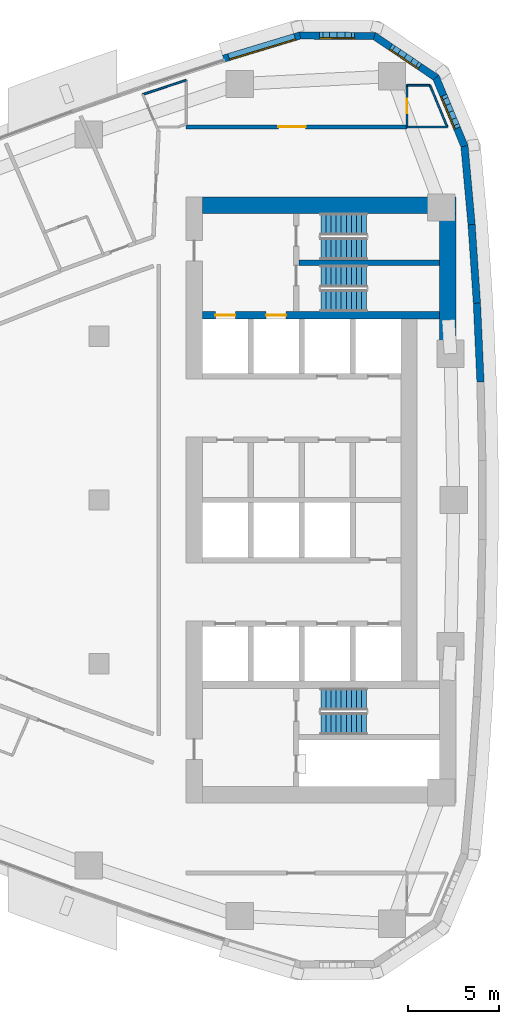
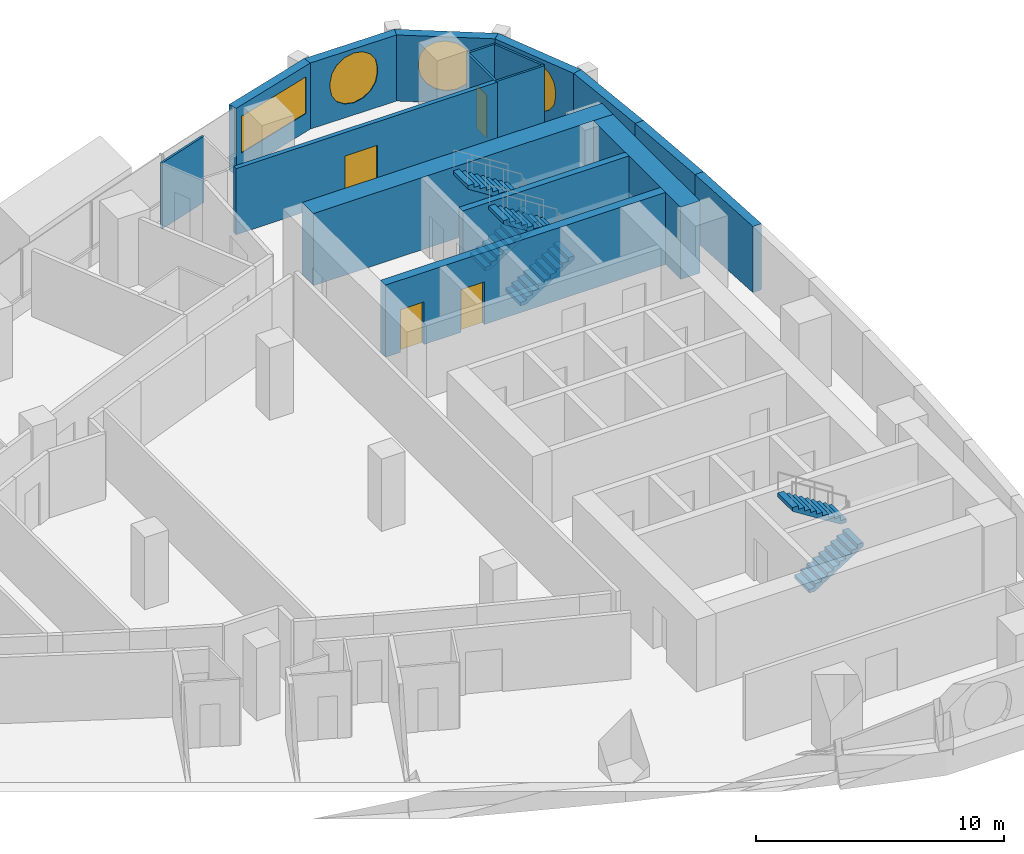
# One storey, part 12 of 16: 17 walls, 6 stair flights, 4 doors, 4 windows, 8 openings, 3 elements without a shape of their own.
"""IFC4 building model written with IfcOpenShell, lengths in metres."""

from ifc_helpers import new_model, si_unit, direction, frame, frame_2d, origin, place, context, subcontext, project, spatial, polyline, rectangle, outline, extrude, material, layer, layer_set, type_object, element, fill, aggregate, save


model = new_model("IFC4")

# Units and contexts
model_context = context("Model", 3, precision=1e-05, world=origin(), true_north=direction((0.0, 1.0)))
body_context = subcontext(model_context, "Body", "Model", "MODEL_VIEW")
ifc_project = project(units=[si_unit("LENGTHUNIT", "METRE"), si_unit("AREAUNIT", "SQUARE_METRE"), si_unit("VOLUMEUNIT", "CUBIC_METRE"), si_unit("PLANEANGLEUNIT", "RADIAN"), si_unit("MASSUNIT", "GRAM", prefix="KILO")], contexts=[model_context])

# Site, building, storey
site_placement = place(None, origin())
site = spatial("IfcSite", under=ifc_project, at=site_placement, CompositionType="ELEMENT")
building_placement = place(site_placement, origin())
building = spatial("IfcBuilding", under=site, at=building_placement, Name="Ostrand Prow Hotel Tower", CompositionType="ELEMENT")
storey_placement = place(building_placement, frame((0.0, 0.0, 147.949951171875)))
storey = spatial("IfcBuildingStorey", under=building, at=storey_placement, Name="L36", CompositionType="ELEMENT", Elevation=147.949951171875)

# Wall
ifc_material_1 = material(Name="Concrete C70/85", Category="concrete")
ifc_layer_1 = layer(ifc_material_1, 0.300048828125)
ifc_layer_set_1 = layer_set([ifc_layer_1], Name="Concrete C70/85")
wall_type_1 = type_object("IfcWallType", Name="Core wall 300 C70/85", PredefinedType="SHEAR", material=ifc_layer_set_1)
wall_1_placement = place(storey_placement, frame((56.0, 13.050048828125, 0.0), z_axis=(0.0, 0.0, 1.0), x_axis=(1.0, 0.0, 0.0)))
element("IfcWall", 1, at=wall_1_placement, inside=storey, type_object=wall_type_1, Name="Core wall PW-ST13", PredefinedType="SHEAR", context=body_context, shape_type="SweptSolid", body=[
    extrude(rectangle(XDim=7.719970703125, YDim=0.300048828125, at=frame_2d((3.85986328125, 0.0))), origin(), (0.0, 0.0, 1.0), 3.550048828125),
])

# Wall, openings, doors
ifc_material_2 = material(Name="Concrete C70/85", Category="concrete")
ifc_layer_2 = layer(ifc_material_2, 0.39990234375)
ifc_layer_set_2 = layer_set([ifc_layer_2], Name="Concrete C70/85")
wall_type_2 = type_object("IfcWallType", Name="Core wall 400 C70/85", PredefinedType="SHEAR", material=ifc_layer_set_2)
wall_2_placement = place(storey_placement, frame((50.699951171875, 10.14990234375, 0.0), z_axis=(0.0, 0.0, 1.0), x_axis=(1.0, 0.0, 0.0)))
wall_2 = element("IfcWall", 2, at=wall_2_placement, inside=storey, type_object=wall_type_2, Name="Core wall PW-BN", PredefinedType="SHEAR", context=body_context, shape_type="SweptSolid", body=[
    extrude(rectangle(XDim=13.02001953125, YDim=0.39990234375, at=frame_2d((6.510009765625, 0.0))), origin(), (0.0, 0.0, 1.0), 3.550048828125),
])
opening_1_placement = place(wall_2_placement, frame((0.699951171875, 0.0, 0.0)))
opening_1 = element("IfcOpeningElement", 3, at=opening_1_placement, cuts=wall_2, Name="Opening LD", PredefinedType="OPENING", context=body_context, shape_type="SweptSolid", body=[
    extrude(rectangle(XDim=1.10009765625, YDim=2.10009765625, at=frame_2d((0.550048828125, 1.050048828125))), frame((0.0, 0.2099609375, 0.0), z_axis=(0.0, -1.0, 0.0), x_axis=(1.0, 0.0, 0.0)), (0.0, 0.0, 1.0), 0.419921875),
])
opening_2_placement = place(wall_2_placement, frame((3.5, 0.0, 0.0)))
opening_2 = element("IfcOpeningElement", 4, at=opening_2_placement, cuts=wall_2, Name="Opening LD", PredefinedType="OPENING", context=body_context, shape_type="SweptSolid", body=[
    extrude(rectangle(XDim=1.10009765625, YDim=2.10009765625, at=frame_2d((0.550048828125, 1.050048828125))), frame((0.0, 0.2099609375, 0.0), z_axis=(0.0, -1.0, 0.0), x_axis=(1.0, 0.0, 0.0)), (0.0, 0.0, 1.0), 0.419921875),
])
ifc_material_3 = material(Name="Stainless steel door", Category="steel")
door_type_1 = type_object("IfcDoorType", Name="Lift landing door 1100", OperationType="DOUBLE_DOOR_SLIDING", PredefinedType="DOOR", material=ifc_material_3)
door_1_placement = place(opening_1_placement, origin())
door_1 = element("IfcDoor", 5, at=door_1_placement, inside=storey, type_object=door_type_1, Name="LIFT LANDING DOOR", OperationType="DOUBLE_DOOR_SLIDING", OverallHeight=2.10009765625, OverallWidth=1.10009765625, PredefinedType="DOOR", context=body_context, shape_type="SweptSolid", body=[
    extrude(rectangle(XDim=1.10009765625, YDim=2.10009765625, at=frame_2d((0.550048828125, 1.050048828125))), frame((0.0, 0.02490234375, 0.0), z_axis=(0.0, -1.0, 0.0), x_axis=(1.0, 0.0, 0.0)), (0.0, 0.0, 1.0), 0.050048828125),
])
fill(opening_1, door_1)
door_2_placement = place(opening_2_placement, origin())
door_2 = element("IfcDoor", 6, at=door_2_placement, inside=storey, type_object=door_type_1, Name="LIFT LANDING DOOR", OperationType="DOUBLE_DOOR_SLIDING", OverallHeight=2.10009765625, OverallWidth=1.10009765625, PredefinedType="DOOR", context=body_context, shape_type="SweptSolid", body=[
    extrude(rectangle(XDim=1.10009765625, YDim=2.10009765625, at=frame_2d((0.550048828125, 1.050048828125))), frame((0.0, 0.02490234375, 0.0), z_axis=(0.0, -1.0, 0.0), x_axis=(1.0, 0.0, 0.0)), (0.0, 0.0, 1.0), 0.050048828125),
])
fill(opening_2, door_2)

# Walls
ifc_material_4 = material(Name="Concrete C70/85", Category="concrete")
ifc_layer_3 = layer(ifc_material_4, 0.89990234375)
ifc_layer_set_3 = layer_set([ifc_layer_3], Name="Concrete C70/85")
wall_type_3 = type_object("IfcWallType", Name="Core wall 900 C70/85", PredefinedType="SHEAR", material=ifc_layer_set_3)
wall_3_placement = place(storey_placement, frame((50.699951171875, 16.199951171875, 0.0), z_axis=(0.0, 0.0, 1.0), x_axis=(1.0, 0.0, 0.0)))
element("IfcWall", 7, at=wall_3_placement, inside=storey, type_object=wall_type_3, Name="Core wall CW-N", PredefinedType="SHEAR", context=body_context, shape_type="SweptSolid", body=[
    extrude(rectangle(XDim=13.920166015625, YDim=0.89990234375, at=frame_2d((6.9599609375, 0.0))), origin(), (0.0, 0.0, 1.0), 3.550048828125),
])
wall_4_placement = place(storey_placement, frame((64.169921875, 8.74462890625, 0.0), z_axis=(0.0, 0.0, 1.0), x_axis=(0.0, 1.0, 0.0)))
element("IfcWall", 8, at=wall_4_placement, inside=storey, type_object=wall_type_3, Name="Core wall CW-E-N", PredefinedType="SHEAR", context=body_context, shape_type="SweptSolid", body=[
    extrude(rectangle(XDim=7.00537109375, YDim=0.89990234375, at=frame_2d((3.502685546875, 0.0))), origin(), (0.0, 0.0, 1.0), 3.550048828125),
])

# Wall, opening, door
ifc_material_5 = material(Name="Plasterboard partition")
ifc_layer_4 = layer(ifc_material_5, 0.10009765625)
ifc_layer_set_4 = layer_set([ifc_layer_4], Name="Plasterboard partition")
wall_type_4 = type_object("IfcWallType", Name="Partition 100 bathroom wall", PredefinedType="PARTITIONING", material=ifc_layer_set_4)
wall_5_placement = place(storey_placement, frame((61.9375, 20.5, 0.0), z_axis=(0.0, 0.0, 1.0), x_axis=(0.0, 1.0, 0.0)))
wall_5 = element("IfcWall", 9, at=wall_5_placement, inside=storey, type_object=wall_type_4, Name="BATHROOM WALL", PredefinedType="PARTITIONING", context=body_context, shape_type="SweptSolid", body=[
    extrude(rectangle(XDim=2.300048828125, YDim=0.10009765625, at=frame_2d((1.14990234375, 0.0))), origin(), (0.0, 0.0, 1.0), 3.25),
])
opening_3_placement = place(wall_5_placement, frame((0.75, 0.0, 0.0)))
opening_3 = element("IfcOpeningElement", 10, at=opening_3_placement, cuts=wall_5, Name="Opening D2", PredefinedType="OPENING", context=body_context, shape_type="SweptSolid", body=[
    extrude(rectangle(XDim=0.800048828125, YDim=2.10009765625, at=frame_2d((0.39990234375, 1.050048828125))), frame((0.0, 0.06005859375, 0.0), z_axis=(0.0, -1.0, 0.0), x_axis=(1.0, 0.0, 0.0)), (0.0, 0.0, 1.0), 0.1201171875),
])
ifc_material_6 = material(Name="Timber door leaf", Category="wood")
door_type_2 = type_object("IfcDoorType", Name="Bathroom door 800", OperationType="SINGLE_SWING_LEFT", PredefinedType="DOOR", material=ifc_material_6)
door_3_placement = place(opening_3_placement, origin())
door_3 = element("IfcDoor", 11, at=door_3_placement, inside=storey, type_object=door_type_2, Name="DOOR", OperationType="SINGLE_SWING_LEFT", OverallHeight=2.10009765625, OverallWidth=0.800048828125, PredefinedType="DOOR", context=body_context, shape_type="SweptSolid", body=[
    extrude(rectangle(XDim=0.800048828125, YDim=2.10009765625, at=frame_2d((0.39990234375, 1.050048828125))), frame((0.0, 0.02490234375, 0.0), z_axis=(0.0, -1.0, 0.0), x_axis=(1.0, 0.0, 0.0)), (0.0, 0.0, 1.0), 0.050048828125),
])
fill(opening_3, door_3)

# Walls
wall_6_placement = place(storey_placement, frame((61.9375, 22.800048828125, 0.0), z_axis=(0.0, 0.0, 1.0), x_axis=(1.0, 0.0, 0.0)))
element("IfcWall", 12, at=wall_6_placement, inside=storey, type_object=wall_type_4, Name="BATHROOM WALL", PredefinedType="PARTITIONING", context=body_context, shape_type="SweptSolid", body=[
    extrude(rectangle(XDim=1.2607421875, YDim=0.10009765625, at=frame_2d((0.63037109375, 0.0))), origin(), (0.0, 0.0, 1.0), 3.25),
])
wall_7_placement = place(storey_placement, frame((63.1982421875, 22.800048828125, 0.0), z_axis=(0.0, 0.0, 1.0), x_axis=(0.383855043906, -0.923393364319, 0.0)))
element("IfcWall", 13, at=wall_7_placement, inside=storey, type_object=wall_type_4, Name="BATHROOM WALL", PredefinedType="PARTITIONING", context=body_context, shape_type="SweptSolid", body=[
    extrude(rectangle(XDim=2.485595703125, YDim=0.10009765625, at=frame_2d((1.24267578125, 0.0))), origin(), (0.0, 0.0, 1.0), 3.25),
])
wall_8_placement = place(storey_placement, frame((64.15234375, 20.5048828125, 0.0), z_axis=(0.0, 0.0, 1.0), x_axis=(-1.0, 0.0, 0.0)))
element("IfcWall", 14, at=wall_8_placement, inside=storey, type_object=wall_type_4, Name="BATHROOM WALL", PredefinedType="PARTITIONING", context=body_context, shape_type="SweptSolid", body=[
    extrude(rectangle(XDim=2.21484375, YDim=0.10009765625, at=frame_2d((1.107421875, 0.0))), origin(), (0.0, 0.0, 1.0), 3.25),
])
wall_9_placement = place(storey_placement, frame((47.416015625, 22.289306640625, 0.0), z_axis=(0.0, 0.0, 1.0), x_axis=(0.949844078437, 0.312723882455, 0.0)))
element("IfcWall", 15, at=wall_9_placement, inside=storey, type_object=wall_type_4, Name="BATHROOM WALL", PredefinedType="PARTITIONING", context=body_context, shape_type="SweptSolid", body=[
    extrude(rectangle(XDim=2.510009765625, YDim=0.10009765625, at=frame_2d((1.2548828125, 0.0))), origin(), (0.0, 0.0, 1.0), 3.25),
])

# Wall, opening, door
ifc_material_7 = material(Name="Plasterboard partition")
ifc_layer_5 = layer(ifc_material_7, 0.199951171875)
ifc_layer_set_5 = layer_set([ifc_layer_5], Name="Plasterboard partition")
wall_type_5 = type_object("IfcWallType", Name="Partition 200 corridor wall", PredefinedType="PARTITIONING", material=ifc_layer_set_5)
wall_10_placement = place(storey_placement, frame((61.9326171875, 20.5048828125, 0.0), z_axis=(0.0, 0.0, 1.0), x_axis=(-1.0, 0.0, 0.0)))
wall_10 = element("IfcWall", 16, at=wall_10_placement, inside=storey, type_object=wall_type_5, Name="CORRIDOR WALL", PredefinedType="PARTITIONING", context=body_context, shape_type="SweptSolid", body=[
    extrude(rectangle(XDim=12.132568359375, YDim=0.199951171875, at=frame_2d((6.06640625, 0.0))), origin(), (0.0, 0.0, 1.0), 3.25),
])
opening_4_placement = place(wall_10_placement, frame((5.56640625, 0.0, 0.0)))
opening_4 = element("IfcOpeningElement", 17, at=opening_4_placement, cuts=wall_10, Name="Opening D15", PredefinedType="OPENING", context=body_context, shape_type="SweptSolid", body=[
    extrude(rectangle(XDim=1.5, YDim=2.10009765625, at=frame_2d((0.75, 1.050048828125))), frame((0.0, 0.10986328125, 0.0), z_axis=(0.0, -1.0, 0.0), x_axis=(1.0, 0.0, 0.0)), (0.0, 0.0, 1.0), 0.219970703125),
])
ifc_material_8 = material(Name="Timber door leaf", Category="wood")
door_type_3 = type_object("IfcDoorType", Name="Double door 1500", OperationType="DOUBLE_DOOR_SINGLE_SWING", PredefinedType="DOOR", material=ifc_material_8)
door_4_placement = place(opening_4_placement, origin())
door_4 = element("IfcDoor", 18, at=door_4_placement, inside=storey, type_object=door_type_3, Name="DOOR", OperationType="DOUBLE_DOOR_SINGLE_SWING", OverallHeight=2.10009765625, OverallWidth=1.5, PredefinedType="DOOR", context=body_context, shape_type="SweptSolid", body=[
    extrude(rectangle(XDim=1.5, YDim=2.10009765625, at=frame_2d((0.75, 1.050048828125))), frame((0.0, 0.02490234375, 0.0), z_axis=(0.0, -1.0, 0.0), x_axis=(1.0, 0.0, 0.0)), (0.0, 0.0, 1.0), 0.050048828125),
])
fill(opening_4, door_4)

# Walls
ifc_material_9 = material(Name="Precast concrete C40/50", Category="concrete")
ifc_layer_6 = layer(ifc_material_9, 0.39990234375)
ifc_layer_set_6 = layer_set([ifc_layer_6], Name="Precast concrete C40/50")
wall_type_6 = type_object("IfcWallType", Name="Stone-faced precast wall 400 mm", PredefinedType="NOTDEFINED", material=ifc_layer_set_6)
for number, where, z_axis, x_axis, name in (
    (19, (65.977783203125, 6.4921875, 0.0), (0.0, 0.0, 1.0), (-0.045228592312, 0.99897666361, 0.0), "Stone-faced wall back 11"),
    (20, (65.781982421875, 10.81689453125, 0.0), (0.0, 0.0, 1.0), (-0.067731727279, 0.997703569764, 0.0), "Stone-faced wall back 12"),
):
    element("IfcWall", number, at=place(storey_placement, frame(where, z_axis=z_axis, x_axis=x_axis)), inside=storey, type_object=wall_type_6, Name=name, PredefinedType="NOTDEFINED", context=body_context, shape_type="SweptSolid", body=[
        extrude(outline(polyline([(-0.002197265625, -0.199951171875), (4.331298828125, -0.199951171875), (4.326904296875, 0.199951171875), (0.002197265625, 0.199951171875), (-0.002197265625, -0.199951171875)])), origin(), (0.0, 0.0, 1.0), 3.25),
    ])
wall_11_placement = place(storey_placement, frame((65.48876953125, 15.135986328125, 0.0), z_axis=(0.0, 0.0, 1.0), x_axis=(-0.090296735989, 0.995914905737, 0.0)))
element("IfcWall", 21, at=wall_11_placement, inside=storey, type_object=wall_type_6, Name="Stone-faced wall back 13", PredefinedType="NOTDEFINED", context=body_context, shape_type="SweptSolid", body=[
    extrude(outline(polyline([(-0.002197265625, -0.199951171875), (4.359130859375, -0.199951171875), (4.298095703125, 0.199951171875), (0.002197265625, 0.199951171875), (-0.002197265625, -0.199951171875)])), origin(), (0.0, 0.0, 1.0), 3.25),
])

# Wall, opening, window
wall_12_placement = place(storey_placement, frame((65.097900390625, 19.447021484375, 0.0), z_axis=(0.0, 0.0, 1.0), x_axis=(-0.383817293519, 0.923409056267, 0.0)))
wall_12 = element("IfcWall", 22, at=wall_12_placement, inside=storey, type_object=wall_type_6, Name="Stone-faced wall back 14", PredefinedType="NOTDEFINED", context=body_context, shape_type="SweptSolid", body=[
    extrude(outline(polyline([(-0.030517578125, -0.199951171875), (4.14453125, -0.199951171875), (4.02392578125, 0.199951171875), (0.030517578125, 0.199951171875), (-0.030517578125, -0.199951171875)])), origin(), (0.0, 0.0, 1.0), 3.25),
])
opening_5_placement = place(wall_12_placement, frame((0.94189453125, 0.0, 0.60009765625)))
opening_5 = element("IfcOpeningElement", 23, at=opening_5_placement, cuts=wall_12, Name="Opening WP1", PredefinedType="OPENING", context=body_context, shape_type="SweptSolid", body=[
    extrude(outline(polyline([(0.0, 1.35009765625), (0.083740234375, 1.77099609375), (0.322265625, 2.127685546875), (0.678955078125, 2.3662109375), (1.10009765625, 2.449951171875), (1.52099609375, 2.3662109375), (1.877685546875, 2.127685546875), (2.1162109375, 1.77099609375), (2.199951171875, 1.35009765625), (2.199951171875, 1.10009765625), (2.1162109375, 0.678955078125), (1.877685546875, 0.322265625), (1.52099609375, 0.083740234375), (1.10009765625, 0.0), (0.678955078125, 0.083740234375), (0.322265625, 0.322265625), (0.083740234375, 0.678955078125), (0.0, 1.099853515625), (0.0, 1.35009765625)])), frame((0.0, 0.2099609375, 0.0), z_axis=(0.0, -1.0, 0.0), x_axis=(1.0, 0.0, 0.0)), (0.0, 0.0, 1.0), 0.419921875),
])
ifc_material_10 = material(Name="Insulated glass in bronze frame", Category="glass")
window_type_1 = type_object("IfcWindowType", Name="Round-ended prow window 2200x2450", PartitioningType="SINGLE_PANEL", PredefinedType="WINDOW", material=ifc_material_10)
window_1_placement = place(opening_5_placement, origin())
window_1 = element("IfcWindow", 24, at=window_1_placement, inside=storey, type_object=window_type_1, Name="Window back 14.1", OverallHeight=2.449951171875, OverallWidth=2.199951171875, PartitioningType="SINGLE_PANEL", PredefinedType="WINDOW", context=body_context, shape_type="SweptSolid", body=[
    extrude(outline(polyline([(0.0, 1.35009765625), (0.083740234375, 1.77099609375), (0.322265625, 2.127685546875), (0.678955078125, 2.3662109375), (1.10009765625, 2.449951171875), (1.52099609375, 2.3662109375), (1.877685546875, 2.127685546875), (2.1162109375, 1.77099609375), (2.199951171875, 1.35009765625), (2.199951171875, 1.10009765625), (2.1162109375, 0.678955078125), (1.877685546875, 0.322265625), (1.52099609375, 0.083740234375), (1.10009765625, 0.0), (0.678955078125, 0.083740234375), (0.322265625, 0.322265625), (0.083740234375, 0.678955078125), (0.0, 1.099853515625), (0.0, 1.35009765625)])), frame((0.0, 0.169921875, 0.0), z_axis=(0.0, -1.0, 0.0), x_axis=(1.0, 0.0, 0.0)), (0.0, 0.0, 1.0), 0.06005859375),
])
fill(opening_5, window_1)

wall_13_placement = place(storey_placement, frame((63.5302734375, 23.218505859375, 0.0), z_axis=(0.0, 0.0, 1.0), x_axis=(-0.829642062482, 0.558295663749, 0.0)))
wall_13 = element("IfcWall", 25, at=wall_13_placement, inside=storey, type_object=wall_type_6, Name="Stone-faced wall back 15", PredefinedType="NOTDEFINED", context=body_context, shape_type="SweptSolid", body=[
    extrude(outline(polyline([(-0.060302734375, -0.199951171875), (4.144287109375, -0.199951171875), (4.023681640625, 0.199951171875), (0.060302734375, 0.199951171875), (-0.060302734375, -0.199951171875)])), origin(), (0.0, 0.0, 1.0), 3.25),
])
opening_6_placement = place(wall_13_placement, frame((0.94189453125, 0.0, 0.60009765625)))
opening_6 = element("IfcOpeningElement", 26, at=opening_6_placement, cuts=wall_13, Name="Opening WP1", PredefinedType="OPENING", context=body_context, shape_type="SweptSolid", body=[
    extrude(outline(polyline([(0.0, 1.35009765625), (0.083740234375, 1.77099609375), (0.322265625, 2.127685546875), (0.678955078125, 2.3662109375), (1.10009765625, 2.449951171875), (1.52099609375, 2.3662109375), (1.877685546875, 2.127685546875), (2.1162109375, 1.77099609375), (2.199951171875, 1.35009765625), (2.199951171875, 1.10009765625), (2.1162109375, 0.678955078125), (1.877685546875, 0.322265625), (1.52099609375, 0.083740234375), (1.10009765625, 0.0), (0.678955078125, 0.083740234375), (0.322265625, 0.322265625), (0.083740234375, 0.678955078125), (0.0, 1.099853515625), (0.0, 1.35009765625)])), frame((0.0, 0.2099609375, 0.0), z_axis=(0.0, -1.0, 0.0), x_axis=(1.0, 0.0, 0.0)), (0.0, 0.0, 1.0), 0.419921875),
])
window_2_placement = place(opening_6_placement, origin())
window_2 = element("IfcWindow", 27, at=window_2_placement, inside=storey, type_object=window_type_1, Name="Window back 15.1", OverallHeight=2.449951171875, OverallWidth=2.199951171875, PartitioningType="SINGLE_PANEL", PredefinedType="WINDOW", context=body_context, shape_type="SweptSolid", body=[
    extrude(outline(polyline([(0.0, 1.35009765625), (0.083740234375, 1.77099609375), (0.322265625, 2.127685546875), (0.678955078125, 2.3662109375), (1.10009765625, 2.449951171875), (1.52099609375, 2.3662109375), (1.877685546875, 2.127685546875), (2.1162109375, 1.77099609375), (2.199951171875, 1.35009765625), (2.199951171875, 1.10009765625), (2.1162109375, 0.678955078125), (1.877685546875, 0.322265625), (1.52099609375, 0.083740234375), (1.10009765625, 0.0), (0.678955078125, 0.083740234375), (0.322265625, 0.322265625), (0.083740234375, 0.678955078125), (0.0, 1.099853515625), (0.0, 1.35009765625)])), frame((0.0, 0.169921875, 0.0), z_axis=(0.0, -1.0, 0.0), x_axis=(1.0, 0.0, 0.0)), (0.0, 0.0, 1.0), 0.06005859375),
])
fill(opening_6, window_2)

wall_14_placement = place(storey_placement, frame((60.14208984375, 25.49853515625, 0.0), z_axis=(0.0, 0.0, 1.0), x_axis=(-0.99996933771, 0.007830941131, 0.0)))
wall_14 = element("IfcWall", 28, at=wall_14_placement, inside=storey, type_object=wall_type_6, Name="Stone-faced wall back 16", PredefinedType="NOTDEFINED", context=body_context, shape_type="SweptSolid", body=[
    extrude(outline(polyline([(-0.060302734375, -0.199951171875), (4.11474609375, -0.199951171875), (4.0537109375, 0.199951171875), (0.060302734375, 0.199951171875), (-0.060302734375, -0.199951171875)])), origin(), (0.0, 0.0, 1.0), 3.25),
])
opening_7_placement = place(wall_14_placement, frame((0.94189453125, 0.0, 0.60009765625)))
opening_7 = element("IfcOpeningElement", 29, at=opening_7_placement, cuts=wall_14, Name="Opening WP1", PredefinedType="OPENING", context=body_context, shape_type="SweptSolid", body=[
    extrude(outline(polyline([(0.0, 1.35009765625), (0.083740234375, 1.77099609375), (0.322265625, 2.127685546875), (0.678955078125, 2.3662109375), (1.10009765625, 2.449951171875), (1.52099609375, 2.3662109375), (1.877685546875, 2.127685546875), (2.1162109375, 1.77099609375), (2.199951171875, 1.35009765625), (2.199951171875, 1.10009765625), (2.1162109375, 0.678955078125), (1.877685546875, 0.322265625), (1.52099609375, 0.083740234375), (1.10009765625, 0.0), (0.678955078125, 0.083740234375), (0.322265625, 0.322265625), (0.083740234375, 0.678955078125), (0.0, 1.099853515625), (0.0, 1.35009765625)])), frame((0.0, 0.2099609375, 0.0), z_axis=(0.0, -1.0, 0.0), x_axis=(1.0, 0.0, 0.0)), (0.0, 0.0, 1.0), 0.419921875),
])
window_3_placement = place(opening_7_placement, origin())
window_3 = element("IfcWindow", 30, at=window_3_placement, inside=storey, type_object=window_type_1, Name="Window back 16.1", OverallHeight=2.449951171875, OverallWidth=2.199951171875, PartitioningType="SINGLE_PANEL", PredefinedType="WINDOW", context=body_context, shape_type="SweptSolid", body=[
    extrude(outline(polyline([(0.0, 1.35009765625), (0.083740234375, 1.77099609375), (0.322265625, 2.127685546875), (0.678955078125, 2.3662109375), (1.10009765625, 2.449951171875), (1.52099609375, 2.3662109375), (1.877685546875, 2.127685546875), (2.1162109375, 1.77099609375), (2.199951171875, 1.35009765625), (2.199951171875, 1.10009765625), (2.1162109375, 0.678955078125), (1.877685546875, 0.322265625), (1.52099609375, 0.083740234375), (1.10009765625, 0.0), (0.678955078125, 0.083740234375), (0.322265625, 0.322265625), (0.083740234375, 0.678955078125), (0.0, 1.099853515625), (0.0, 1.35009765625)])), frame((0.0, 0.169921875, 0.0), z_axis=(0.0, -1.0, 0.0), x_axis=(1.0, 0.0, 0.0)), (0.0, 0.0, 1.0), 0.06005859375),
])
fill(opening_7, window_3)

wall_15_placement = place(storey_placement, frame((56.05810546875, 25.530517578125, 0.0), z_axis=(0.0, 0.0, 1.0), x_axis=(-0.956964488344, -0.290205044837, 0.0)))
wall_15 = element("IfcWall", 31, at=wall_15_placement, inside=storey, type_object=wall_type_6, Name="Stone-faced wall back 17", PredefinedType="NOTDEFINED", context=body_context, shape_type="SweptSolid", body=[
    extrude(outline(polyline([(-0.030517578125, -0.199951171875), (4.387939453125, -0.199951171875), (4.387939453125, 0.199951171875), (0.030517578125, 0.199951171875), (-0.030517578125, -0.199951171875)])), origin(), (0.0, 0.0, 1.0), 3.25),
])
opening_8_placement = place(wall_15_placement, frame((0.2939453125, 0.0, 0.89990234375)))
opening_8 = element("IfcOpeningElement", 32, at=opening_8_placement, cuts=wall_15, Name="Opening WS3-38", PredefinedType="OPENING", context=body_context, shape_type="SweptSolid", body=[
    extrude(rectangle(XDim=3.800048828125, YDim=1.800048828125, at=frame_2d((1.89990234375, 0.89990234375))), frame((0.0, 0.2099609375, 0.0), z_axis=(0.0, -1.0, 0.0), x_axis=(1.0, 0.0, 0.0)), (0.0, 0.0, 1.0), 0.419921875),
])
ifc_material_11 = material(Name="Insulated glass in bronze frame", Category="glass")
window_type_2 = type_object("IfcWindowType", Name="Strip window 3800x1800", PartitioningType="SINGLE_PANEL", PredefinedType="WINDOW", material=ifc_material_11)
window_4_placement = place(opening_8_placement, origin())
window_4 = element("IfcWindow", 33, at=window_4_placement, inside=storey, type_object=window_type_2, Name="Window back 17.1", OverallHeight=1.800048828125, OverallWidth=3.800048828125, PartitioningType="SINGLE_PANEL", PredefinedType="WINDOW", context=body_context, shape_type="SweptSolid", body=[
    extrude(rectangle(XDim=3.800048828125, YDim=1.800048828125, at=frame_2d((1.89990234375, 0.89990234375))), frame((0.0, 0.169921875, 0.0), z_axis=(0.0, -1.0, 0.0), x_axis=(1.0, 0.0, 0.0)), (0.0, 0.0, 1.0), 0.06005859375),
])
fill(opening_8, window_4)

# Stair, stair flights
ifc_material_12 = material(Name="Concrete C40/50", Category="concrete")
stair_type = type_object("IfcStairType", Name="Exit stair 1200 upper zone", PredefinedType="HALF_TURN_STAIR", material=ifc_material_12)
stair_1_placement = place(storey_placement, origin())
stair_1 = element("IfcStair", 34, at=stair_1_placement, inside=storey, type_object=stair_type, Name="L36 ST1C", PredefinedType="HALF_TURN_STAIR")
ifc_material_13 = material(Name="Concrete C40/50", Category="concrete")
stair_flight_type = type_object("IfcStairFlightType", Name="Stair flight 1200 concrete", PredefinedType="STRAIGHT", material=ifc_material_13)
stair_flight_1_placement = place(storey_placement, frame((57.199951171875, 10.949951171875, 0.0), z_axis=(0.0, 0.0, 1.0), x_axis=(1.0, 0.0, 0.0)))
stair_flight_1 = element("IfcStairFlight", 35, at=stair_flight_1_placement, type_object=stair_flight_type, Name="ST1C flight 1", NumberOfRisers=10, NumberOfTreads=9, PredefinedType="STRAIGHT", RiserHeight=0.1775, TreadLength=0.28, context=body_context, shape_type="SweptSolid", body=[
    extrude(outline(polyline([(0.0, 0.0), (0.0, 0.177490234375), (0.280029296875, 0.177490234375), (0.280029296875, 0.35498046875), (0.56005859375, 0.35498046875), (0.56005859375, 0.532470703125), (0.840087890625, 0.532470703125), (0.840087890625, 0.7099609375), (1.1201171875, 0.7099609375), (1.1201171875, 0.887451171875), (1.39990234375, 0.887451171875), (1.39990234375, 1.06494140625), (1.679931640625, 1.06494140625), (1.679931640625, 1.242431640625), (1.9599609375, 1.242431640625), (1.9599609375, 1.419921875), (2.239990234375, 1.419921875), (2.239990234375, 1.597412109375), (2.52001953125, 1.597412109375), (2.52001953125, 1.77490234375), (2.52001953125, 1.419921875), (0.280029296875, 0.0), (0.0, 0.0)])), frame((0.0, 0.60009765625, 0.0), z_axis=(0.0, -1.0, 0.0), x_axis=(1.0, 0.0, 0.0)), (0.0, 0.0, 1.0), 1.199951171875),
])
stair_flight_2_placement = place(storey_placement, frame((59.719970703125, 12.300048828125, 1.775146484375), z_axis=(0.0, 0.0, 1.0), x_axis=(-1.0, 0.0, 0.0)))
stair_flight_2 = element("IfcStairFlight", 36, at=stair_flight_2_placement, type_object=stair_flight_type, Name="ST1C flight 2", NumberOfRisers=10, NumberOfTreads=9, PredefinedType="STRAIGHT", RiserHeight=0.1775, TreadLength=0.28, context=body_context, shape_type="SweptSolid", body=[
    extrude(outline(polyline([(0.0, 0.0), (0.0, 0.177490234375), (0.280029296875, 0.177490234375), (0.280029296875, 0.35498046875), (0.56005859375, 0.35498046875), (0.56005859375, 0.532470703125), (0.840087890625, 0.532470703125), (0.840087890625, 0.7099609375), (1.1201171875, 0.7099609375), (1.1201171875, 0.887451171875), (1.39990234375, 0.887451171875), (1.39990234375, 1.06494140625), (1.679931640625, 1.06494140625), (1.679931640625, 1.242431640625), (1.9599609375, 1.242431640625), (1.9599609375, 1.419921875), (2.239990234375, 1.419921875), (2.239990234375, 1.597412109375), (2.52001953125, 1.597412109375), (2.52001953125, 1.77490234375), (2.52001953125, 1.419921875), (0.280029296875, 0.0), (0.0, 0.0)])), frame((0.0, 0.60009765625, 0.0), z_axis=(0.0, -1.0, 0.0), x_axis=(1.0, 0.0, 0.0)), (0.0, 0.0, 1.0), 1.199951171875),
])
aggregate(stair_1, [stair_flight_1, stair_flight_2])

stair_2_placement = place(storey_placement, origin())
stair_2 = element("IfcStair", 37, at=stair_2_placement, inside=storey, type_object=stair_type, Name="L36 ST3C", PredefinedType="HALF_TURN_STAIR")
stair_flight_3_placement = place(storey_placement, frame((57.199951171875, 13.800048828125, 0.0), z_axis=(0.0, 0.0, 1.0), x_axis=(1.0, 0.0, 0.0)))
stair_flight_3 = element("IfcStairFlight", 38, at=stair_flight_3_placement, type_object=stair_flight_type, Name="ST3C flight 1", NumberOfRisers=10, NumberOfTreads=9, PredefinedType="STRAIGHT", RiserHeight=0.1775, TreadLength=0.28, context=body_context, shape_type="SweptSolid", body=[
    extrude(outline(polyline([(0.0, 0.0), (0.0, 0.177490234375), (0.280029296875, 0.177490234375), (0.280029296875, 0.35498046875), (0.56005859375, 0.35498046875), (0.56005859375, 0.532470703125), (0.840087890625, 0.532470703125), (0.840087890625, 0.7099609375), (1.1201171875, 0.7099609375), (1.1201171875, 0.887451171875), (1.39990234375, 0.887451171875), (1.39990234375, 1.06494140625), (1.679931640625, 1.06494140625), (1.679931640625, 1.242431640625), (1.9599609375, 1.242431640625), (1.9599609375, 1.419921875), (2.239990234375, 1.419921875), (2.239990234375, 1.597412109375), (2.52001953125, 1.597412109375), (2.52001953125, 1.77490234375), (2.52001953125, 1.419921875), (0.280029296875, 0.0), (0.0, 0.0)])), frame((0.0, 0.60009765625, 0.0), z_axis=(0.0, -1.0, 0.0), x_axis=(1.0, 0.0, 0.0)), (0.0, 0.0, 1.0), 1.199951171875),
])
stair_flight_4_placement = place(storey_placement, frame((59.719970703125, 15.14990234375, 1.775146484375), z_axis=(0.0, 0.0, 1.0), x_axis=(-1.0, 0.0, 0.0)))
stair_flight_4 = element("IfcStairFlight", 39, at=stair_flight_4_placement, type_object=stair_flight_type, Name="ST3C flight 2", NumberOfRisers=10, NumberOfTreads=9, PredefinedType="STRAIGHT", RiserHeight=0.1775, TreadLength=0.28, context=body_context, shape_type="SweptSolid", body=[
    extrude(outline(polyline([(0.0, 0.0), (0.0, 0.177490234375), (0.280029296875, 0.177490234375), (0.280029296875, 0.35498046875), (0.56005859375, 0.35498046875), (0.56005859375, 0.532470703125), (0.840087890625, 0.532470703125), (0.840087890625, 0.7099609375), (1.1201171875, 0.7099609375), (1.1201171875, 0.887451171875), (1.39990234375, 0.887451171875), (1.39990234375, 1.06494140625), (1.679931640625, 1.06494140625), (1.679931640625, 1.242431640625), (1.9599609375, 1.242431640625), (1.9599609375, 1.419921875), (2.239990234375, 1.419921875), (2.239990234375, 1.597412109375), (2.52001953125, 1.597412109375), (2.52001953125, 1.77490234375), (2.52001953125, 1.419921875), (0.280029296875, 0.0), (0.0, 0.0)])), frame((0.0, 0.60009765625, 0.0), z_axis=(0.0, -1.0, 0.0), x_axis=(1.0, 0.0, 0.0)), (0.0, 0.0, 1.0), 1.199951171875),
])
aggregate(stair_2, [stair_flight_3, stair_flight_4])

stair_3_placement = place(storey_placement, origin())
stair_3 = element("IfcStair", 40, at=stair_3_placement, inside=storey, type_object=stair_type, Name="L36 ST2C", PredefinedType="HALF_TURN_STAIR")
stair_flight_5_placement = place(storey_placement, frame((57.199951171875, -12.300048828125, 0.0), z_axis=(0.0, 0.0, 1.0), x_axis=(1.0, 0.0, 0.0)))
stair_flight_5 = element("IfcStairFlight", 41, at=stair_flight_5_placement, type_object=stair_flight_type, Name="ST2C flight 1", NumberOfRisers=10, NumberOfTreads=9, PredefinedType="STRAIGHT", RiserHeight=0.1775, TreadLength=0.28, context=body_context, shape_type="SweptSolid", body=[
    extrude(outline(polyline([(0.0, 0.0), (0.0, 0.177490234375), (0.280029296875, 0.177490234375), (0.280029296875, 0.35498046875), (0.56005859375, 0.35498046875), (0.56005859375, 0.532470703125), (0.840087890625, 0.532470703125), (0.840087890625, 0.7099609375), (1.1201171875, 0.7099609375), (1.1201171875, 0.887451171875), (1.39990234375, 0.887451171875), (1.39990234375, 1.06494140625), (1.679931640625, 1.06494140625), (1.679931640625, 1.242431640625), (1.9599609375, 1.242431640625), (1.9599609375, 1.419921875), (2.239990234375, 1.419921875), (2.239990234375, 1.597412109375), (2.52001953125, 1.597412109375), (2.52001953125, 1.77490234375), (2.52001953125, 1.419921875), (0.280029296875, 0.0), (0.0, 0.0)])), frame((0.0, 0.60009765625, 0.0), z_axis=(0.0, -1.0, 0.0), x_axis=(1.0, 0.0, 0.0)), (0.0, 0.0, 1.0), 1.199951171875),
])
stair_flight_6_placement = place(storey_placement, frame((59.719970703125, -10.949951171875, 1.775146484375), z_axis=(0.0, 0.0, 1.0), x_axis=(-1.0, 0.0, 0.0)))
stair_flight_6 = element("IfcStairFlight", 42, at=stair_flight_6_placement, type_object=stair_flight_type, Name="ST2C flight 2", NumberOfRisers=10, NumberOfTreads=9, PredefinedType="STRAIGHT", RiserHeight=0.1775, TreadLength=0.28, context=body_context, shape_type="SweptSolid", body=[
    extrude(outline(polyline([(0.0, 0.0), (0.0, 0.177490234375), (0.280029296875, 0.177490234375), (0.280029296875, 0.35498046875), (0.56005859375, 0.35498046875), (0.56005859375, 0.532470703125), (0.840087890625, 0.532470703125), (0.840087890625, 0.7099609375), (1.1201171875, 0.7099609375), (1.1201171875, 0.887451171875), (1.39990234375, 0.887451171875), (1.39990234375, 1.06494140625), (1.679931640625, 1.06494140625), (1.679931640625, 1.242431640625), (1.9599609375, 1.242431640625), (1.9599609375, 1.419921875), (2.239990234375, 1.419921875), (2.239990234375, 1.597412109375), (2.52001953125, 1.597412109375), (2.52001953125, 1.77490234375), (2.52001953125, 1.419921875), (0.280029296875, 0.0), (0.0, 0.0)])), frame((0.0, 0.60009765625, 0.0), z_axis=(0.0, -1.0, 0.0), x_axis=(1.0, 0.0, 0.0)), (0.0, 0.0, 1.0), 1.199951171875),
])
aggregate(stair_3, [stair_flight_5, stair_flight_6])

save(model, "model.ifc")
